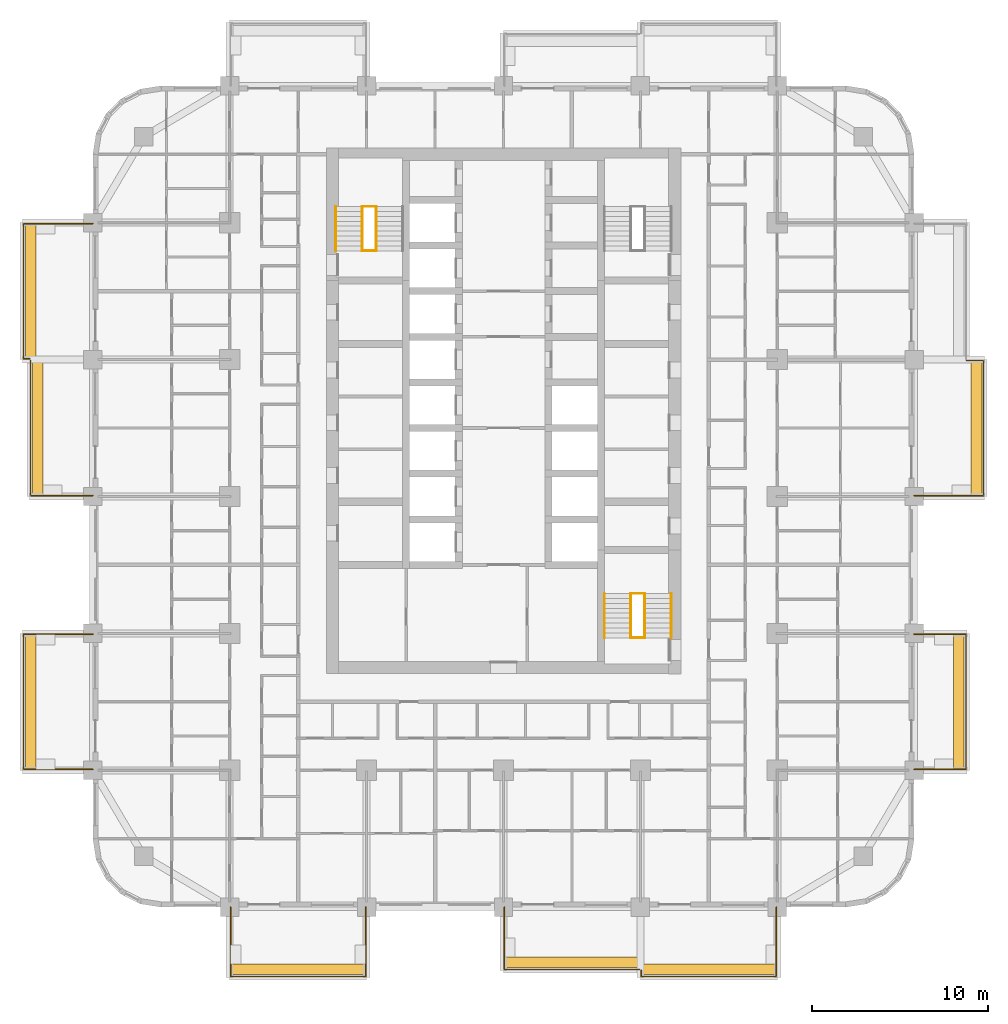
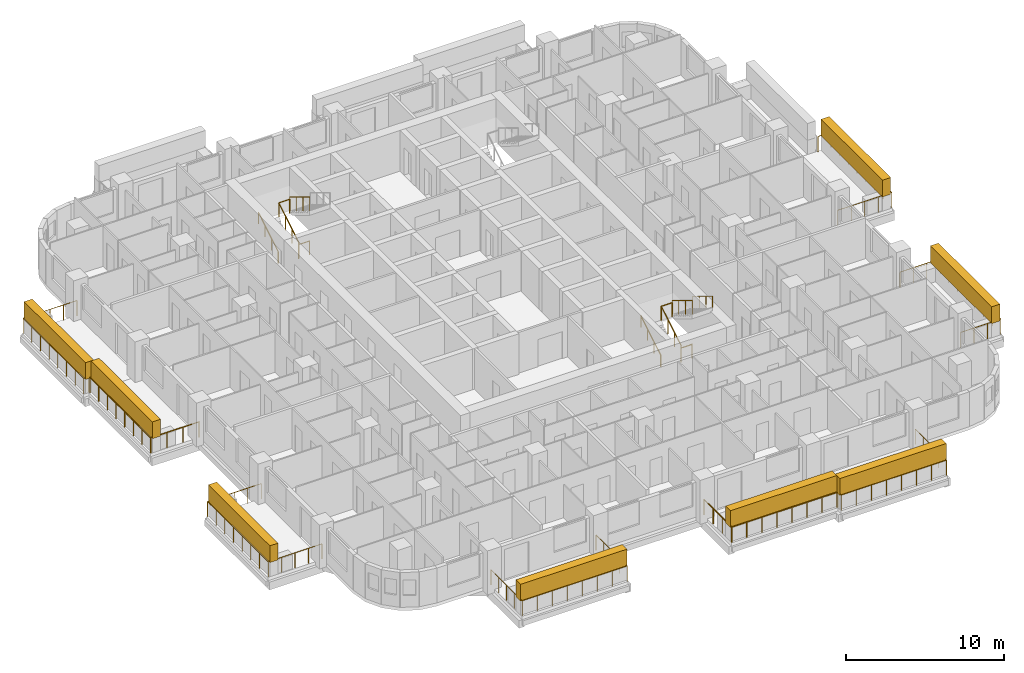
# One storey, part 17 of 18: 19 railings, 8 coverings, 2 elements without a shape of their own.
"""IFC4 building model written with IfcOpenShell, lengths in metres."""

from ifc_helpers import new_model, si_unit, direction, frame, origin, origin_2d, place, context, subcontext, project, spatial, rectangle, circle, extrude, material, layer, layer_set, type_object, element, aggregate, save


model = new_model("IFC4")

# Units and contexts
model_context = context("Model", 3, precision=1e-05, world=origin(), true_north=direction((0.0, 1.0)))
body_context = subcontext(model_context, "Body", "Model", "MODEL_VIEW")
ifc_project = project(units=[si_unit("LENGTHUNIT", "METRE"), si_unit("AREAUNIT", "SQUARE_METRE"), si_unit("VOLUMEUNIT", "CUBIC_METRE"), si_unit("PLANEANGLEUNIT", "RADIAN"), si_unit("MASSUNIT", "GRAM", prefix="KILO")], contexts=[model_context])

# Site, building, storey
site_placement = place(None, origin())
site = spatial("IfcSite", under=ifc_project, at=site_placement, CompositionType="ELEMENT")
building_placement = place(site_placement, origin())
building = spatial("IfcBuilding", under=site, at=building_placement, Name="Ludao Terraces", CompositionType="ELEMENT")
storey_placement = place(building_placement, frame((0.0, 0.0, 33.10009765625)))
storey = spatial("IfcBuildingStorey", under=building, at=storey_placement, Name="L08", CompositionType="ELEMENT", Elevation=33.10009765625)

# Railings
ifc_material_1 = material(Name="Stainless steel 304", Category="steel")
railing_type_1 = type_object("IfcRailingType", Name="ENV Balcony glass guard 1200", PredefinedType="GUARDRAIL", material=ifc_material_1)
railing_1_placement = place(storey_placement, frame((69.449951171875, 41.60009765625, 0.0)))
element("IfcRailing", 1, at=railing_1_placement, inside=storey, type_object=railing_type_1, Name="Balcony guard L08 S1", PredefinedType="GUARDRAIL", context=body_context, shape_type="SweptSolid", body=[
    extrude(circle(Radius=0.02392578125, at=origin_2d()), frame((0.0, 0.0, 1.17578125), z_axis=(0.0, -1.0, 0.0), x_axis=(1.0, 0.0, 0.0)), (0.0, 0.0, 1.0), 3.9501953125),
    extrude(circle(Radius=0.02392578125, at=origin_2d()), frame((0.0, -3.9501953125, 1.17578125), z_axis=(1.0, 0.0, 0.0), x_axis=(0.0, 1.0, 0.0)), (0.0, 0.0, 1.0), 7.699951171875),
    extrude(circle(Radius=0.02392578125, at=origin_2d()), frame((7.699951171875, -3.9501953125, 1.17578125), z_axis=(0.0, 1.0, 0.0), x_axis=(-1.0, 0.0, 0.0)), (0.0, 0.0, 1.0), 3.9501953125),
    extrude(circle(Radius=0.02099609375, at=origin_2d()), origin(), (0.0, 0.0, 1.0), 1.15185546875),
    extrude(circle(Radius=0.02099609375, at=origin_2d()), frame((0.0, -0.987548828125, 0.0)), (0.0, 0.0, 1.0), 1.15185546875),
    extrude(circle(Radius=0.02099609375, at=origin_2d()), frame((0.0, -1.97509765625, 0.0)), (0.0, 0.0, 1.0), 1.15185546875),
    extrude(circle(Radius=0.02099609375, at=origin_2d()), frame((0.0, -2.962646484375, 0.0)), (0.0, 0.0, 1.0), 1.15185546875),
    extrude(circle(Radius=0.02099609375, at=origin_2d()), frame((0.0, -3.9501953125, 0.0)), (0.0, 0.0, 1.0), 1.15185546875),
    extrude(circle(Radius=0.02099609375, at=origin_2d()), frame((1.10009765625, -3.9501953125, 0.0)), (0.0, 0.0, 1.0), 1.15185546875),
    extrude(circle(Radius=0.02099609375, at=origin_2d()), frame((2.199951171875, -3.9501953125, 0.0)), (0.0, 0.0, 1.0), 1.15185546875),
    extrude(circle(Radius=0.02099609375, at=origin_2d()), frame((3.300048828125, -3.9501953125, 0.0)), (0.0, 0.0, 1.0), 1.15185546875),
    extrude(circle(Radius=0.02099609375, at=origin_2d()), frame((4.39990234375, -3.9501953125, 0.0)), (0.0, 0.0, 1.0), 1.15185546875),
    extrude(circle(Radius=0.02099609375, at=origin_2d()), frame((5.5, -3.9501953125, 0.0)), (0.0, 0.0, 1.0), 1.15185546875),
    extrude(circle(Radius=0.02099609375, at=origin_2d()), frame((6.599853515625, -3.9501953125, 0.0)), (0.0, 0.0, 1.0), 1.15185546875),
    extrude(circle(Radius=0.02099609375, at=origin_2d()), frame((7.699951171875, -3.9501953125, 0.0)), (0.0, 0.0, 1.0), 1.15185546875),
    extrude(circle(Radius=0.02099609375, at=origin_2d()), frame((7.699951171875, -2.962646484375, 0.0)), (0.0, 0.0, 1.0), 1.15185546875),
    extrude(circle(Radius=0.02099609375, at=origin_2d()), frame((7.699951171875, -1.97509765625, 0.0)), (0.0, 0.0, 1.0), 1.15185546875),
    extrude(circle(Radius=0.02099609375, at=origin_2d()), frame((7.699951171875, -0.987548828125, 0.0)), (0.0, 0.0, 1.0), 1.15185546875),
    extrude(circle(Radius=0.02099609375, at=origin_2d()), frame((7.699951171875, 0.0, 0.0)), (0.0, 0.0, 1.0), 1.15185546875),
])
railing_2_placement = place(storey_placement, frame((85.050048828125, 41.60009765625, 0.0)))
element("IfcRailing", 2, at=railing_2_placement, inside=storey, type_object=railing_type_1, Name="Balcony guard L08 S3", PredefinedType="GUARDRAIL", context=body_context, shape_type="SweptSolid", body=[
    extrude(circle(Radius=0.02392578125, at=origin_2d()), frame((0.0, 0.0, 1.17578125), z_axis=(0.0, -1.0, 0.0), x_axis=(1.0, 0.0, 0.0)), (0.0, 0.0, 1.0), 3.550048828125),
    extrude(circle(Radius=0.02392578125, at=origin_2d()), frame((0.0, -3.550048828125, 1.17578125), z_axis=(1.0, 0.0, 0.0), x_axis=(0.0, 1.0, 0.0)), (0.0, 0.0, 1.0), 7.699951171875),
    extrude(circle(Radius=0.02099609375, at=origin_2d()), origin(), (0.0, 0.0, 1.0), 1.15185546875),
    extrude(circle(Radius=0.02099609375, at=origin_2d()), frame((0.0, -1.183349609375, 0.0)), (0.0, 0.0, 1.0), 1.15185546875),
    extrude(circle(Radius=0.02099609375, at=origin_2d()), frame((0.0, -2.36669921875, 0.0)), (0.0, 0.0, 1.0), 1.15185546875),
    extrude(circle(Radius=0.02099609375, at=origin_2d()), frame((0.0, -3.550048828125, 0.0)), (0.0, 0.0, 1.0), 1.15185546875),
    extrude(circle(Radius=0.02099609375, at=origin_2d()), frame((1.10009765625, -3.550048828125, 0.0)), (0.0, 0.0, 1.0), 1.15185546875),
    extrude(circle(Radius=0.02099609375, at=origin_2d()), frame((2.199951171875, -3.550048828125, 0.0)), (0.0, 0.0, 1.0), 1.15185546875),
    extrude(circle(Radius=0.02099609375, at=origin_2d()), frame((3.300048828125, -3.550048828125, 0.0)), (0.0, 0.0, 1.0), 1.15185546875),
    extrude(circle(Radius=0.02099609375, at=origin_2d()), frame((4.39990234375, -3.550048828125, 0.0)), (0.0, 0.0, 1.0), 1.15185546875),
    extrude(circle(Radius=0.02099609375, at=origin_2d()), frame((5.5, -3.550048828125, 0.0)), (0.0, 0.0, 1.0), 1.15185546875),
    extrude(circle(Radius=0.02099609375, at=origin_2d()), frame((6.599853515625, -3.550048828125, 0.0)), (0.0, 0.0, 1.0), 1.15185546875),
    extrude(circle(Radius=0.02099609375, at=origin_2d()), frame((7.699951171875, -3.550048828125, 0.0)), (0.0, 0.0, 1.0), 1.15185546875),
])
railing_3_placement = place(storey_placement, frame((92.85009765625, 38.0, 0.0)))
element("IfcRailing", 3, at=railing_3_placement, inside=storey, type_object=railing_type_1, Name="Balcony guard L08 S4", PredefinedType="GUARDRAIL", context=body_context, shape_type="SweptSolid", body=[
    extrude(circle(Radius=0.02392578125, at=origin_2d()), frame((0.0, 0.0, 1.17578125), z_axis=(0.0, -1.0, 0.0), x_axis=(1.0, 0.0, 0.0)), (0.0, 0.0, 1.0), 0.35009765625),
    extrude(circle(Radius=0.02392578125, at=origin_2d()), frame((0.0, -0.35009765625, 1.17578125), z_axis=(1.0, 0.0, 0.0), x_axis=(0.0, 1.0, 0.0)), (0.0, 0.0, 1.0), 7.699951171875),
    extrude(circle(Radius=0.02392578125, at=origin_2d()), frame((7.699951171875, -0.35009765625, 1.17578125), z_axis=(0.0, 1.0, 0.0), x_axis=(-1.0, 0.0, 0.0)), (0.0, 0.0, 1.0), 3.9501953125),
    extrude(circle(Radius=0.02099609375, at=origin_2d()), origin(), (0.0, 0.0, 1.0), 1.15185546875),
    extrude(circle(Radius=0.02099609375, at=origin_2d()), frame((0.0, -0.35009765625, 0.0)), (0.0, 0.0, 1.0), 1.15185546875),
    extrude(circle(Radius=0.02099609375, at=origin_2d()), frame((1.10009765625, -0.35009765625, 0.0)), (0.0, 0.0, 1.0), 1.15185546875),
    extrude(circle(Radius=0.02099609375, at=origin_2d()), frame((2.199951171875, -0.35009765625, 0.0)), (0.0, 0.0, 1.0), 1.15185546875),
    extrude(circle(Radius=0.02099609375, at=origin_2d()), frame((3.300048828125, -0.35009765625, 0.0)), (0.0, 0.0, 1.0), 1.15185546875),
    extrude(circle(Radius=0.02099609375, at=origin_2d()), frame((4.39990234375, -0.35009765625, 0.0)), (0.0, 0.0, 1.0), 1.15185546875),
    extrude(circle(Radius=0.02099609375, at=origin_2d()), frame((5.5, -0.35009765625, 0.0)), (0.0, 0.0, 1.0), 1.15185546875),
    extrude(circle(Radius=0.02099609375, at=origin_2d()), frame((6.599853515625, -0.35009765625, 0.0)), (0.0, 0.0, 1.0), 1.15185546875),
    extrude(circle(Radius=0.02099609375, at=origin_2d()), frame((7.699951171875, -0.35009765625, 0.0)), (0.0, 0.0, 1.0), 1.15185546875),
    extrude(circle(Radius=0.02099609375, at=origin_2d()), frame((7.699951171875, 0.637451171875, 0.0)), (0.0, 0.0, 1.0), 1.15185546875),
    extrude(circle(Radius=0.02099609375, at=origin_2d()), frame((7.699951171875, 1.625, 0.0)), (0.0, 0.0, 1.0), 1.15185546875),
    extrude(circle(Radius=0.02099609375, at=origin_2d()), frame((7.699951171875, 2.612548828125, 0.0)), (0.0, 0.0, 1.0), 1.15185546875),
    extrude(circle(Radius=0.02099609375, at=origin_2d()), frame((7.699951171875, 3.60009765625, 0.0)), (0.0, 0.0, 1.0), 1.15185546875),
])
railing_4_placement = place(storey_placement, frame((108.39990234375, 49.449951171875, 0.0)))
element("IfcRailing", 4, at=railing_4_placement, inside=storey, type_object=railing_type_1, Name="Balcony guard L08 E1", PredefinedType="GUARDRAIL", context=body_context, shape_type="SweptSolid", body=[
    extrude(circle(Radius=0.02392578125, at=origin_2d()), frame((0.0, 0.0, 1.17578125), z_axis=(1.0, 0.0, 0.0), x_axis=(0.0, 1.0, 0.0)), (0.0, 0.0, 1.0), 2.9501953125),
    extrude(circle(Radius=0.02392578125, at=origin_2d()), frame((2.9501953125, 0.0, 1.17578125), z_axis=(0.0, 1.0, 0.0), x_axis=(-1.0, 0.0, 0.0)), (0.0, 0.0, 1.0), 7.699951171875),
    extrude(circle(Radius=0.02392578125, at=origin_2d()), frame((2.9501953125, 7.699951171875, 1.17578125), z_axis=(-1.0, 0.0, 0.0), x_axis=(0.0, -1.0, 0.0)), (0.0, 0.0, 1.0), 2.9501953125),
    extrude(circle(Radius=0.02099609375, at=origin_2d()), origin(), (0.0, 0.0, 1.0), 1.15185546875),
    extrude(circle(Radius=0.02099609375, at=origin_2d()), frame((0.9833984375, 0.0, 0.0)), (0.0, 0.0, 1.0), 1.15185546875),
    extrude(circle(Radius=0.02099609375, at=origin_2d()), frame((1.966796875, 0.0, 0.0)), (0.0, 0.0, 1.0), 1.15185546875),
    extrude(circle(Radius=0.02099609375, at=origin_2d()), frame((2.9501953125, 0.0, 0.0)), (0.0, 0.0, 1.0), 1.15185546875),
    extrude(circle(Radius=0.02099609375, at=origin_2d()), frame((2.9501953125, 1.10009765625, 0.0)), (0.0, 0.0, 1.0), 1.15185546875),
    extrude(circle(Radius=0.02099609375, at=origin_2d()), frame((2.9501953125, 2.199951171875, 0.0)), (0.0, 0.0, 1.0), 1.15185546875),
    extrude(circle(Radius=0.02099609375, at=origin_2d()), frame((2.9501953125, 3.300048828125, 0.0)), (0.0, 0.0, 1.0), 1.15185546875),
    extrude(circle(Radius=0.02099609375, at=origin_2d()), frame((2.9501953125, 4.39990234375, 0.0)), (0.0, 0.0, 1.0), 1.15185546875),
    extrude(circle(Radius=0.02099609375, at=origin_2d()), frame((2.9501953125, 5.5, 0.0)), (0.0, 0.0, 1.0), 1.15185546875),
    extrude(circle(Radius=0.02099609375, at=origin_2d()), frame((2.9501953125, 6.599853515625, 0.0)), (0.0, 0.0, 1.0), 1.15185546875),
    extrude(circle(Radius=0.02099609375, at=origin_2d()), frame((2.9501953125, 7.699951171875, 0.0)), (0.0, 0.0, 1.0), 1.15185546875),
    extrude(circle(Radius=0.02099609375, at=origin_2d()), frame((1.966796875, 7.699951171875, 0.0)), (0.0, 0.0, 1.0), 1.15185546875),
    extrude(circle(Radius=0.02099609375, at=origin_2d()), frame((0.9833984375, 7.699951171875, 0.0)), (0.0, 0.0, 1.0), 1.15185546875),
    extrude(circle(Radius=0.02099609375, at=origin_2d()), frame((0.0, 7.699951171875, 0.0)), (0.0, 0.0, 1.0), 1.15185546875),
])
railing_5_placement = place(storey_placement, frame((108.39990234375, 65.050048828125, 0.0)))
element("IfcRailing", 5, at=railing_5_placement, inside=storey, type_object=railing_type_1, Name="Balcony guard L08 E3", PredefinedType="GUARDRAIL", context=body_context, shape_type="SweptSolid", body=[
    extrude(circle(Radius=0.02392578125, at=origin_2d()), frame((0.0, 0.0, 1.17578125), z_axis=(1.0, 0.0, 0.0), x_axis=(0.0, 1.0, 0.0)), (0.0, 0.0, 1.0), 3.9501953125),
    extrude(circle(Radius=0.02392578125, at=origin_2d()), frame((3.9501953125, 0.0, 1.17578125), z_axis=(0.0, 1.0, 0.0), x_axis=(-1.0, 0.0, 0.0)), (0.0, 0.0, 1.0), 7.699951171875),
    extrude(circle(Radius=0.02392578125, at=origin_2d()), frame((3.9501953125, 7.699951171875, 1.17578125), z_axis=(-1.0, 0.0, 0.0), x_axis=(0.0, -1.0, 0.0)), (0.0, 0.0, 1.0), 0.9501953125),
    extrude(circle(Radius=0.02099609375, at=origin_2d()), origin(), (0.0, 0.0, 1.0), 1.15185546875),
    extrude(circle(Radius=0.02099609375, at=origin_2d()), frame((0.987548828125, 0.0, 0.0)), (0.0, 0.0, 1.0), 1.15185546875),
    extrude(circle(Radius=0.02099609375, at=origin_2d()), frame((1.97509765625, 0.0, 0.0)), (0.0, 0.0, 1.0), 1.15185546875),
    extrude(circle(Radius=0.02099609375, at=origin_2d()), frame((2.962646484375, 0.0, 0.0)), (0.0, 0.0, 1.0), 1.15185546875),
    extrude(circle(Radius=0.02099609375, at=origin_2d()), frame((3.9501953125, 0.0, 0.0)), (0.0, 0.0, 1.0), 1.15185546875),
    extrude(circle(Radius=0.02099609375, at=origin_2d()), frame((3.9501953125, 1.10009765625, 0.0)), (0.0, 0.0, 1.0), 1.15185546875),
    extrude(circle(Radius=0.02099609375, at=origin_2d()), frame((3.9501953125, 2.199951171875, 0.0)), (0.0, 0.0, 1.0), 1.15185546875),
    extrude(circle(Radius=0.02099609375, at=origin_2d()), frame((3.9501953125, 3.300048828125, 0.0)), (0.0, 0.0, 1.0), 1.15185546875),
    extrude(circle(Radius=0.02099609375, at=origin_2d()), frame((3.9501953125, 4.39990234375, 0.0)), (0.0, 0.0, 1.0), 1.15185546875),
    extrude(circle(Radius=0.02099609375, at=origin_2d()), frame((3.9501953125, 5.5, 0.0)), (0.0, 0.0, 1.0), 1.15185546875),
    extrude(circle(Radius=0.02099609375, at=origin_2d()), frame((3.9501953125, 6.599853515625, 0.0)), (0.0, 0.0, 1.0), 1.15185546875),
    extrude(circle(Radius=0.02099609375, at=origin_2d()), frame((3.9501953125, 7.699951171875, 0.0)), (0.0, 0.0, 1.0), 1.15185546875),
    extrude(circle(Radius=0.02099609375, at=origin_2d()), frame((3.0, 7.699951171875, 0.0)), (0.0, 0.0, 1.0), 1.15185546875),
])
railing_6_placement = place(storey_placement, frame((61.60009765625, 49.449951171875, 0.0)))
element("IfcRailing", 6, at=railing_6_placement, inside=storey, type_object=railing_type_1, Name="Balcony guard L08 W1", PredefinedType="GUARDRAIL", context=body_context, shape_type="SweptSolid", body=[
    extrude(circle(Radius=0.02392578125, at=origin_2d()), frame((0.0, 0.0, 1.17578125), z_axis=(-1.0, 0.0, 0.0), x_axis=(0.0, -1.0, 0.0)), (0.0, 0.0, 1.0), 3.9501953125),
    extrude(circle(Radius=0.02392578125, at=origin_2d()), frame((-3.9501953125, 0.0, 1.17578125), z_axis=(0.0, 1.0, 0.0), x_axis=(-1.0, 0.0, 0.0)), (0.0, 0.0, 1.0), 7.699951171875),
    extrude(circle(Radius=0.02392578125, at=origin_2d()), frame((-3.9501953125, 7.699951171875, 1.17578125), z_axis=(1.0, 0.0, 0.0), x_axis=(0.0, 1.0, 0.0)), (0.0, 0.0, 1.0), 3.9501953125),
    extrude(circle(Radius=0.02099609375, at=origin_2d()), origin(), (0.0, 0.0, 1.0), 1.15185546875),
    extrude(circle(Radius=0.02099609375, at=origin_2d()), frame((-0.987548828125, 0.0, 0.0)), (0.0, 0.0, 1.0), 1.15185546875),
    extrude(circle(Radius=0.02099609375, at=origin_2d()), frame((-1.97509765625, 0.0, 0.0)), (0.0, 0.0, 1.0), 1.15185546875),
    extrude(circle(Radius=0.02099609375, at=origin_2d()), frame((-2.962646484375, 0.0, 0.0)), (0.0, 0.0, 1.0), 1.15185546875),
    extrude(circle(Radius=0.02099609375, at=origin_2d()), frame((-3.9501953125, 0.0, 0.0)), (0.0, 0.0, 1.0), 1.15185546875),
    extrude(circle(Radius=0.02099609375, at=origin_2d()), frame((-3.9501953125, 1.10009765625, 0.0)), (0.0, 0.0, 1.0), 1.15185546875),
    extrude(circle(Radius=0.02099609375, at=origin_2d()), frame((-3.9501953125, 2.199951171875, 0.0)), (0.0, 0.0, 1.0), 1.15185546875),
    extrude(circle(Radius=0.02099609375, at=origin_2d()), frame((-3.9501953125, 3.300048828125, 0.0)), (0.0, 0.0, 1.0), 1.15185546875),
    extrude(circle(Radius=0.02099609375, at=origin_2d()), frame((-3.9501953125, 4.39990234375, 0.0)), (0.0, 0.0, 1.0), 1.15185546875),
    extrude(circle(Radius=0.02099609375, at=origin_2d()), frame((-3.9501953125, 5.5, 0.0)), (0.0, 0.0, 1.0), 1.15185546875),
    extrude(circle(Radius=0.02099609375, at=origin_2d()), frame((-3.9501953125, 6.599853515625, 0.0)), (0.0, 0.0, 1.0), 1.15185546875),
    extrude(circle(Radius=0.02099609375, at=origin_2d()), frame((-3.9501953125, 7.699951171875, 0.0)), (0.0, 0.0, 1.0), 1.15185546875),
    extrude(circle(Radius=0.02099609375, at=origin_2d()), frame((-2.962646484375, 7.699951171875, 0.0)), (0.0, 0.0, 1.0), 1.15185546875),
    extrude(circle(Radius=0.02099609375, at=origin_2d()), frame((-1.97509765625, 7.699951171875, 0.0)), (0.0, 0.0, 1.0), 1.15185546875),
    extrude(circle(Radius=0.02099609375, at=origin_2d()), frame((-0.987548828125, 7.699951171875, 0.0)), (0.0, 0.0, 1.0), 1.15185546875),
    extrude(circle(Radius=0.02099609375, at=origin_2d()), frame((0.0, 7.699951171875, 0.0)), (0.0, 0.0, 1.0), 1.15185546875),
])
railing_7_placement = place(storey_placement, frame((61.60009765625, 65.050048828125, 0.0)))
element("IfcRailing", 7, at=railing_7_placement, inside=storey, type_object=railing_type_1, Name="Balcony guard L08 W3", PredefinedType="GUARDRAIL", context=body_context, shape_type="SweptSolid", body=[
    extrude(circle(Radius=0.02392578125, at=origin_2d()), frame((0.0, 0.0, 1.17578125), z_axis=(-1.0, 0.0, 0.0), x_axis=(0.0, -1.0, 0.0)), (0.0, 0.0, 1.0), 3.550048828125),
    extrude(circle(Radius=0.02392578125, at=origin_2d()), frame((-3.550048828125, 0.0, 1.17578125), z_axis=(0.0, 1.0, 0.0), x_axis=(-1.0, 0.0, 0.0)), (0.0, 0.0, 1.0), 7.699951171875),
    extrude(circle(Radius=0.02099609375, at=origin_2d()), origin(), (0.0, 0.0, 1.0), 1.15185546875),
    extrude(circle(Radius=0.02099609375, at=origin_2d()), frame((-1.183349609375, 0.0, 0.0)), (0.0, 0.0, 1.0), 1.15185546875),
    extrude(circle(Radius=0.02099609375, at=origin_2d()), frame((-2.36669921875, 0.0, 0.0)), (0.0, 0.0, 1.0), 1.15185546875),
    extrude(circle(Radius=0.02099609375, at=origin_2d()), frame((-3.550048828125, 0.0, 0.0)), (0.0, 0.0, 1.0), 1.15185546875),
    extrude(circle(Radius=0.02099609375, at=origin_2d()), frame((-3.550048828125, 1.10009765625, 0.0)), (0.0, 0.0, 1.0), 1.15185546875),
    extrude(circle(Radius=0.02099609375, at=origin_2d()), frame((-3.550048828125, 2.199951171875, 0.0)), (0.0, 0.0, 1.0), 1.15185546875),
    extrude(circle(Radius=0.02099609375, at=origin_2d()), frame((-3.550048828125, 3.300048828125, 0.0)), (0.0, 0.0, 1.0), 1.15185546875),
    extrude(circle(Radius=0.02099609375, at=origin_2d()), frame((-3.550048828125, 4.39990234375, 0.0)), (0.0, 0.0, 1.0), 1.15185546875),
    extrude(circle(Radius=0.02099609375, at=origin_2d()), frame((-3.550048828125, 5.5, 0.0)), (0.0, 0.0, 1.0), 1.15185546875),
    extrude(circle(Radius=0.02099609375, at=origin_2d()), frame((-3.550048828125, 6.599853515625, 0.0)), (0.0, 0.0, 1.0), 1.15185546875),
    extrude(circle(Radius=0.02099609375, at=origin_2d()), frame((-3.550048828125, 7.699951171875, 0.0)), (0.0, 0.0, 1.0), 1.15185546875),
])
railing_8_placement = place(storey_placement, frame((58.0, 72.85009765625, 0.0)))
element("IfcRailing", 8, at=railing_8_placement, inside=storey, type_object=railing_type_1, Name="Balcony guard L08 W4", PredefinedType="GUARDRAIL", context=body_context, shape_type="SweptSolid", body=[
    extrude(circle(Radius=0.02392578125, at=origin_2d()), frame((0.0, 0.0, 1.17578125), z_axis=(-1.0, 0.0, 0.0), x_axis=(0.0, -1.0, 0.0)), (0.0, 0.0, 1.0), 0.35009765625),
    extrude(circle(Radius=0.02392578125, at=origin_2d()), frame((-0.35009765625, 0.0, 1.17578125), z_axis=(0.0, 1.0, 0.0), x_axis=(-1.0, 0.0, 0.0)), (0.0, 0.0, 1.0), 7.699951171875),
    extrude(circle(Radius=0.02392578125, at=origin_2d()), frame((-0.35009765625, 7.699951171875, 1.17578125), z_axis=(1.0, 0.0, 0.0), x_axis=(0.0, 1.0, 0.0)), (0.0, 0.0, 1.0), 3.9501953125),
    extrude(circle(Radius=0.02099609375, at=origin_2d()), origin(), (0.0, 0.0, 1.0), 1.15185546875),
    extrude(circle(Radius=0.02099609375, at=origin_2d()), frame((-0.35009765625, 0.0, 0.0)), (0.0, 0.0, 1.0), 1.15185546875),
    extrude(circle(Radius=0.02099609375, at=origin_2d()), frame((-0.35009765625, 1.10009765625, 0.0)), (0.0, 0.0, 1.0), 1.15185546875),
    extrude(circle(Radius=0.02099609375, at=origin_2d()), frame((-0.35009765625, 2.199951171875, 0.0)), (0.0, 0.0, 1.0), 1.15185546875),
    extrude(circle(Radius=0.02099609375, at=origin_2d()), frame((-0.35009765625, 3.300048828125, 0.0)), (0.0, 0.0, 1.0), 1.15185546875),
    extrude(circle(Radius=0.02099609375, at=origin_2d()), frame((-0.35009765625, 4.39990234375, 0.0)), (0.0, 0.0, 1.0), 1.15185546875),
    extrude(circle(Radius=0.02099609375, at=origin_2d()), frame((-0.35009765625, 5.5, 0.0)), (0.0, 0.0, 1.0), 1.15185546875),
    extrude(circle(Radius=0.02099609375, at=origin_2d()), frame((-0.35009765625, 6.599853515625, 0.0)), (0.0, 0.0, 1.0), 1.15185546875),
    extrude(circle(Radius=0.02099609375, at=origin_2d()), frame((-0.35009765625, 7.699951171875, 0.0)), (0.0, 0.0, 1.0), 1.15185546875),
    extrude(circle(Radius=0.02099609375, at=origin_2d()), frame((0.637451171875, 7.699951171875, 0.0)), (0.0, 0.0, 1.0), 1.15185546875),
    extrude(circle(Radius=0.02099609375, at=origin_2d()), frame((1.625, 7.699951171875, 0.0)), (0.0, 0.0, 1.0), 1.15185546875),
    extrude(circle(Radius=0.02099609375, at=origin_2d()), frame((2.612548828125, 7.699951171875, 0.0)), (0.0, 0.0, 1.0), 1.15185546875),
    extrude(circle(Radius=0.02099609375, at=origin_2d()), frame((3.60009765625, 7.699951171875, 0.0)), (0.0, 0.0, 1.0), 1.15185546875),
])

# Coverings
ifc_material_2 = material(Name="Planting")
ifc_layer = layer(ifc_material_2, 0.60009765625)
ifc_layer_set = layer_set([ifc_layer], Name="ENV Planting hedge 600x1300")
covering_type = type_object("IfcCoveringType", Name="ENV Planting hedge 600x1300", PredefinedType="USERDEFINED", material=ifc_layer_set)
for number, where, z_axis, x_axis, name in (
    (9, (73.300048828125, 38.050048828125, 1.10009765625), (0.0, 0.0, 1.0), (1.0, 0.0, 0.0), "Planting hedge L08-S1"),
    (10, (88.89990234375, 38.449951171875, 1.10009765625), (0.0, 0.0, 1.0), (1.0, 0.0, 0.0), "Planting hedge L08-S3"),
    (11, (96.699951171875, 38.050048828125, 1.10009765625), (0.0, 0.0, 1.0), (1.0, 0.0, 0.0), "Planting hedge L08-S4"),
):
    element("IfcCovering", number, at=place(storey_placement, frame(where, z_axis=z_axis, x_axis=x_axis)), inside=storey, type_object=covering_type, Name=name, ObjectType="PLANTING", PredefinedType="USERDEFINED", context=body_context, shape_type="SweptSolid", body=[
        extrude(rectangle(XDim=7.800048828125, YDim=0.60009765625, at=origin_2d()), origin(), (0.0, 0.0, 1.0), 1.300048828125),
    ])
for number, where, z_axis, x_axis, name in (
    (12, (110.949951171875, 53.300048828125, 1.10009765625), (0.0, 0.0, 1.0), (1.0, 0.0, 0.0), "Planting hedge L08-E1"),
    (13, (111.949951171875, 68.89990234375, 1.10009765625), (0.0, 0.0, 1.0), (1.0, 0.0, 0.0), "Planting hedge L08-E3"),
    (14, (58.050048828125, 53.300048828125, 1.10009765625), (0.0, 0.0, 1.0), (1.0, 0.0, 0.0), "Planting hedge L08-W1"),
    (15, (58.449951171875, 68.89990234375, 1.10009765625), (0.0, 0.0, 1.0), (1.0, 0.0, 0.0), "Planting hedge L08-W3"),
    (16, (58.050048828125, 76.699951171875, 1.10009765625), (0.0, 0.0, 1.0), (1.0, 0.0, 0.0), "Planting hedge L08-W4"),
):
    element("IfcCovering", number, at=place(storey_placement, frame(where, z_axis=z_axis, x_axis=x_axis)), inside=storey, type_object=covering_type, Name=name, ObjectType="PLANTING", PredefinedType="USERDEFINED", context=body_context, shape_type="SweptSolid", body=[
        extrude(rectangle(XDim=0.60009765625, YDim=7.800048828125, at=origin_2d()), origin(), (0.0, 0.0, 1.0), 1.300048828125),
    ])

# Stair, railings
ifc_material_3 = material(Name="Concrete C40", Category="concrete")
stair_type = type_object("IfcStairType", Name="INT Stair", PredefinedType="HALF_TURN_STAIR", material=ifc_material_3)
stair_1_placement = place(storey_placement, origin())
stair_1 = element("IfcStair", 17, at=stair_1_placement, inside=storey, type_object=stair_type, Name="EXIT STAIR 1", PredefinedType="HALF_TURN_STAIR")
railing_type_2 = type_object("IfcRailingType", Name="INT Stair guard 1100", PredefinedType="GUARDRAIL", material=ifc_material_1)
railing_9_placement = place(storey_placement, frame((76.949951171875, 79.0, 0.169921875)))
railing_9 = element("IfcRailing", 18, at=railing_9_placement, type_object=railing_type_2, Name="ST-L08-S1-R1G", PredefinedType="GUARDRAIL", context=body_context, shape_type="SweptSolid", body=[
    extrude(circle(Radius=0.02392578125, at=origin_2d()), frame((0.0, 0.0, 1.076171875), z_axis=(0.0, 0.85478489116, 0.518982456201), x_axis=(-1.0, 0.0, 0.0)), (0.0, 0.0, 1.0), 2.9482421875),
    extrude(circle(Radius=0.02099609375, at=origin_2d()), origin(), (0.0, 0.0, 1.0), 1.052001953125),
    extrude(circle(Radius=0.02099609375, at=origin_2d()), frame((0.0, 0.840087890625, 0.510009765625)), (0.0, 0.0, 1.0), 1.052001953125),
    extrude(circle(Radius=0.02099609375, at=origin_2d()), frame((0.0, 1.679931640625, 1.02001953125)), (0.0, 0.0, 1.0), 1.052001953125),
    extrude(circle(Radius=0.02099609375, at=origin_2d()), frame((0.0, 2.52001953125, 1.530029296875)), (0.0, 0.0, 1.0), 1.052001953125),
])
railing_10_placement = place(storey_placement, frame((77.75, 81.52001953125, 1.869873046875)))
railing_10 = element("IfcRailing", 19, at=railing_10_placement, type_object=railing_type_2, Name="ST-L08-S1-R2G", PredefinedType="GUARDRAIL", context=body_context, shape_type="SweptSolid", body=[
    extrude(circle(Radius=0.02392578125, at=origin_2d()), frame((0.0, 0.0, 1.076171875), z_axis=(0.0, -0.85478489116, 0.518982456201), x_axis=(1.0, 0.0, 0.0)), (0.0, 0.0, 1.0), 2.9482421875),
    extrude(circle(Radius=0.02099609375, at=origin_2d()), origin(), (0.0, 0.0, 1.0), 1.052001953125),
    extrude(circle(Radius=0.02099609375, at=origin_2d()), frame((0.0, -0.840087890625, 0.510009765625)), (0.0, 0.0, 1.0), 1.052001953125),
    extrude(circle(Radius=0.02099609375, at=origin_2d()), frame((0.0, -1.679931640625, 1.02001953125)), (0.0, 0.0, 1.0), 1.052001953125),
    extrude(circle(Radius=0.02099609375, at=origin_2d()), frame((0.0, -2.52001953125, 1.530029296875)), (0.0, 0.0, 1.0), 1.052001953125),
])
railing_11_placement = place(storey_placement, frame((76.949951171875, 81.52001953125, 1.699951171875)))
railing_11 = element("IfcRailing", 20, at=railing_11_placement, type_object=railing_type_2, Name="ST-L08-S1-E1G", PredefinedType="GUARDRAIL", context=body_context, shape_type="SweptSolid", body=[
    extrude(circle(Radius=0.02392578125, at=origin_2d()), frame((0.0, 0.0, 1.076171875), z_axis=(1.0, 0.0, 0.0), x_axis=(0.0, 1.0, 0.0)), (0.0, 0.0, 1.0), 0.800048828125),
    extrude(circle(Radius=0.02099609375, at=origin_2d()), origin(), (0.0, 0.0, 1.0), 1.052001953125),
    extrude(circle(Radius=0.02099609375, at=origin_2d()), frame((0.800048828125, 0.0, 0.0)), (0.0, 0.0, 1.0), 1.052001953125),
])
railing_12_placement = place(storey_placement, frame((76.949951171875, 79.0, 0.0)))
railing_12 = element("IfcRailing", 21, at=railing_12_placement, type_object=railing_type_2, Name="ST-L08-S1-E2G", PredefinedType="GUARDRAIL", context=body_context, shape_type="SweptSolid", body=[
    extrude(circle(Radius=0.02392578125, at=origin_2d()), frame((0.0, 0.0, 1.076171875), z_axis=(1.0, 0.0, 0.0), x_axis=(0.0, 1.0, 0.0)), (0.0, 0.0, 1.0), 0.800048828125),
    extrude(circle(Radius=0.02099609375, at=origin_2d()), origin(), (0.0, 0.0, 1.0), 1.052001953125),
    extrude(circle(Radius=0.02099609375, at=origin_2d()), frame((0.800048828125, 0.0, 0.0)), (0.0, 0.0, 1.0), 1.052001953125),
])

stair_2_placement = place(storey_placement, origin())
stair_2 = element("IfcStair", 22, at=stair_2_placement, inside=storey, type_object=stair_type, Name="EXIT STAIR 3", PredefinedType="HALF_TURN_STAIR")
railing_13_placement = place(storey_placement, frame((92.25, 56.949951171875, 0.169921875)))
railing_13 = element("IfcRailing", 23, at=railing_13_placement, type_object=railing_type_2, Name="ST-L08-S3-R1G", PredefinedType="GUARDRAIL", context=body_context, shape_type="SweptSolid", body=[
    extrude(circle(Radius=0.02392578125, at=origin_2d()), frame((0.0, 0.0, 1.076171875), z_axis=(0.0, 0.85478489116, 0.518982456201), x_axis=(-1.0, 0.0, 0.0)), (0.0, 0.0, 1.0), 2.9482421875),
    extrude(circle(Radius=0.02099609375, at=origin_2d()), origin(), (0.0, 0.0, 1.0), 1.052001953125),
    extrude(circle(Radius=0.02099609375, at=origin_2d()), frame((0.0, 0.840087890625, 0.510009765625)), (0.0, 0.0, 1.0), 1.052001953125),
    extrude(circle(Radius=0.02099609375, at=origin_2d()), frame((0.0, 1.679931640625, 1.02001953125)), (0.0, 0.0, 1.0), 1.052001953125),
    extrude(circle(Radius=0.02099609375, at=origin_2d()), frame((0.0, 2.52001953125, 1.530029296875)), (0.0, 0.0, 1.0), 1.052001953125),
])
railing_14_placement = place(storey_placement, frame((93.050048828125, 59.469970703125, 1.869873046875)))
railing_14 = element("IfcRailing", 24, at=railing_14_placement, type_object=railing_type_2, Name="ST-L08-S3-R2G", PredefinedType="GUARDRAIL", context=body_context, shape_type="SweptSolid", body=[
    extrude(circle(Radius=0.02392578125, at=origin_2d()), frame((0.0, 0.0, 1.076171875), z_axis=(0.0, -0.85478489116, 0.518982456201), x_axis=(1.0, 0.0, 0.0)), (0.0, 0.0, 1.0), 2.9482421875),
    extrude(circle(Radius=0.02099609375, at=origin_2d()), origin(), (0.0, 0.0, 1.0), 1.052001953125),
    extrude(circle(Radius=0.02099609375, at=origin_2d()), frame((0.0, -0.840087890625, 0.510009765625)), (0.0, 0.0, 1.0), 1.052001953125),
    extrude(circle(Radius=0.02099609375, at=origin_2d()), frame((0.0, -1.679931640625, 1.02001953125)), (0.0, 0.0, 1.0), 1.052001953125),
    extrude(circle(Radius=0.02099609375, at=origin_2d()), frame((0.0, -2.52001953125, 1.530029296875)), (0.0, 0.0, 1.0), 1.052001953125),
])
railing_15_placement = place(storey_placement, frame((92.25, 59.469970703125, 1.699951171875)))
railing_15 = element("IfcRailing", 25, at=railing_15_placement, type_object=railing_type_2, Name="ST-L08-S3-E1G", PredefinedType="GUARDRAIL", context=body_context, shape_type="SweptSolid", body=[
    extrude(circle(Radius=0.02392578125, at=origin_2d()), frame((0.0, 0.0, 1.076171875), z_axis=(1.0, 0.0, 0.0), x_axis=(0.0, 1.0, 0.0)), (0.0, 0.0, 1.0), 0.800048828125),
    extrude(circle(Radius=0.02099609375, at=origin_2d()), origin(), (0.0, 0.0, 1.0), 1.052001953125),
    extrude(circle(Radius=0.02099609375, at=origin_2d()), frame((0.800048828125, 0.0, 0.0)), (0.0, 0.0, 1.0), 1.052001953125),
])
railing_16_placement = place(storey_placement, frame((92.25, 56.949951171875, 0.0)))
railing_16 = element("IfcRailing", 26, at=railing_16_placement, type_object=railing_type_2, Name="ST-L08-S3-E2G", PredefinedType="GUARDRAIL", context=body_context, shape_type="SweptSolid", body=[
    extrude(circle(Radius=0.02392578125, at=origin_2d()), frame((0.0, 0.0, 1.076171875), z_axis=(1.0, 0.0, 0.0), x_axis=(0.0, 1.0, 0.0)), (0.0, 0.0, 1.0), 0.800048828125),
    extrude(circle(Radius=0.02099609375, at=origin_2d()), origin(), (0.0, 0.0, 1.0), 1.052001953125),
    extrude(circle(Radius=0.02099609375, at=origin_2d()), frame((0.800048828125, 0.0, 0.0)), (0.0, 0.0, 1.0), 1.052001953125),
])

# Railing
railing_type_3 = type_object("IfcRailingType", Name="INT Stair handrail 900", PredefinedType="HANDRAIL", material=ifc_material_1)
railing_17_placement = place(storey_placement, frame((75.449951171875, 79.0, 0.169921875)))
railing_17 = element("IfcRailing", 27, at=railing_17_placement, type_object=railing_type_3, Name="ST-L08-S1-R1H", PredefinedType="HANDRAIL", context=body_context, shape_type="SweptSolid", body=[
    extrude(circle(Radius=0.02392578125, at=origin_2d()), frame((0.0, 0.0, 0.8759765625), z_axis=(0.0, 0.85478489116, 0.518982456201), x_axis=(-1.0, 0.0, 0.0)), (0.0, 0.0, 1.0), 2.9482421875),
    extrude(circle(Radius=0.02099609375, at=origin_2d()), origin(), (0.0, 0.0, 1.0), 0.851806640625),
    extrude(circle(Radius=0.02099609375, at=origin_2d()), frame((0.0, 0.840087890625, 0.510009765625)), (0.0, 0.0, 1.0), 0.851806640625),
    extrude(circle(Radius=0.02099609375, at=origin_2d()), frame((0.0, 1.679931640625, 1.02001953125)), (0.0, 0.0, 1.0), 0.851806640625),
    extrude(circle(Radius=0.02099609375, at=origin_2d()), frame((0.0, 2.52001953125, 1.530029296875)), (0.0, 0.0, 1.0), 0.851806640625),
])

aggregate(stair_1, [railing_9, railing_17, railing_10, railing_11, railing_12])

railing_18_placement = place(storey_placement, frame((90.75, 56.949951171875, 0.169921875)))
railing_18 = element("IfcRailing", 28, at=railing_18_placement, type_object=railing_type_3, Name="ST-L08-S3-R1H", PredefinedType="HANDRAIL", context=body_context, shape_type="SweptSolid", body=[
    extrude(circle(Radius=0.02392578125, at=origin_2d()), frame((0.0, 0.0, 0.8759765625), z_axis=(0.0, 0.85478489116, 0.518982456201), x_axis=(-1.0, 0.0, 0.0)), (0.0, 0.0, 1.0), 2.9482421875),
    extrude(circle(Radius=0.02099609375, at=origin_2d()), origin(), (0.0, 0.0, 1.0), 0.851806640625),
    extrude(circle(Radius=0.02099609375, at=origin_2d()), frame((0.0, 0.840087890625, 0.510009765625)), (0.0, 0.0, 1.0), 0.851806640625),
    extrude(circle(Radius=0.02099609375, at=origin_2d()), frame((0.0, 1.679931640625, 1.02001953125)), (0.0, 0.0, 1.0), 0.851806640625),
    extrude(circle(Radius=0.02099609375, at=origin_2d()), frame((0.0, 2.52001953125, 1.530029296875)), (0.0, 0.0, 1.0), 0.851806640625),
])

railing_19_placement = place(storey_placement, frame((94.550048828125, 59.469970703125, 1.869873046875)))
railing_19 = element("IfcRailing", 29, at=railing_19_placement, type_object=railing_type_3, Name="ST-L08-S3-R2H", PredefinedType="HANDRAIL", context=body_context, shape_type="SweptSolid", body=[
    extrude(circle(Radius=0.02392578125, at=origin_2d()), frame((0.0, 0.0, 0.8759765625), z_axis=(0.0, -0.85478489116, 0.518982456201), x_axis=(1.0, 0.0, 0.0)), (0.0, 0.0, 1.0), 2.9482421875),
    extrude(circle(Radius=0.02099609375, at=origin_2d()), origin(), (0.0, 0.0, 1.0), 0.851806640625),
    extrude(circle(Radius=0.02099609375, at=origin_2d()), frame((0.0, -0.840087890625, 0.510009765625)), (0.0, 0.0, 1.0), 0.851806640625),
    extrude(circle(Radius=0.02099609375, at=origin_2d()), frame((0.0, -1.679931640625, 1.02001953125)), (0.0, 0.0, 1.0), 0.851806640625),
    extrude(circle(Radius=0.02099609375, at=origin_2d()), frame((0.0, -2.52001953125, 1.530029296875)), (0.0, 0.0, 1.0), 0.851806640625),
])

aggregate(stair_2, [railing_13, railing_18, railing_14, railing_19, railing_15, railing_16])

save(model, "model.ifc")
